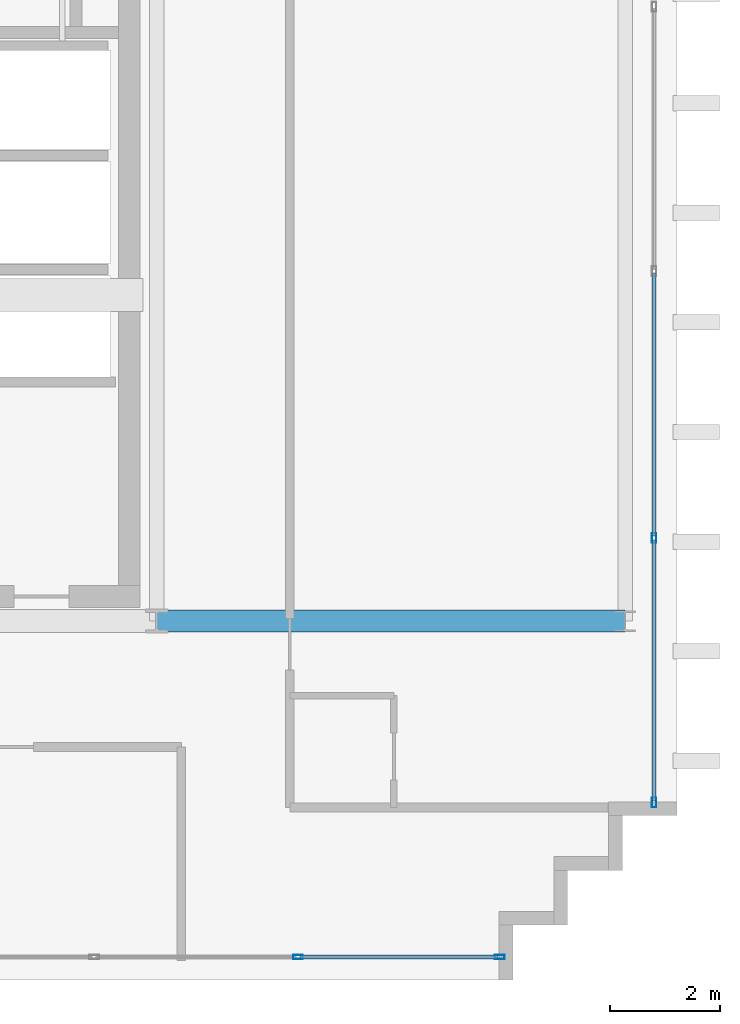
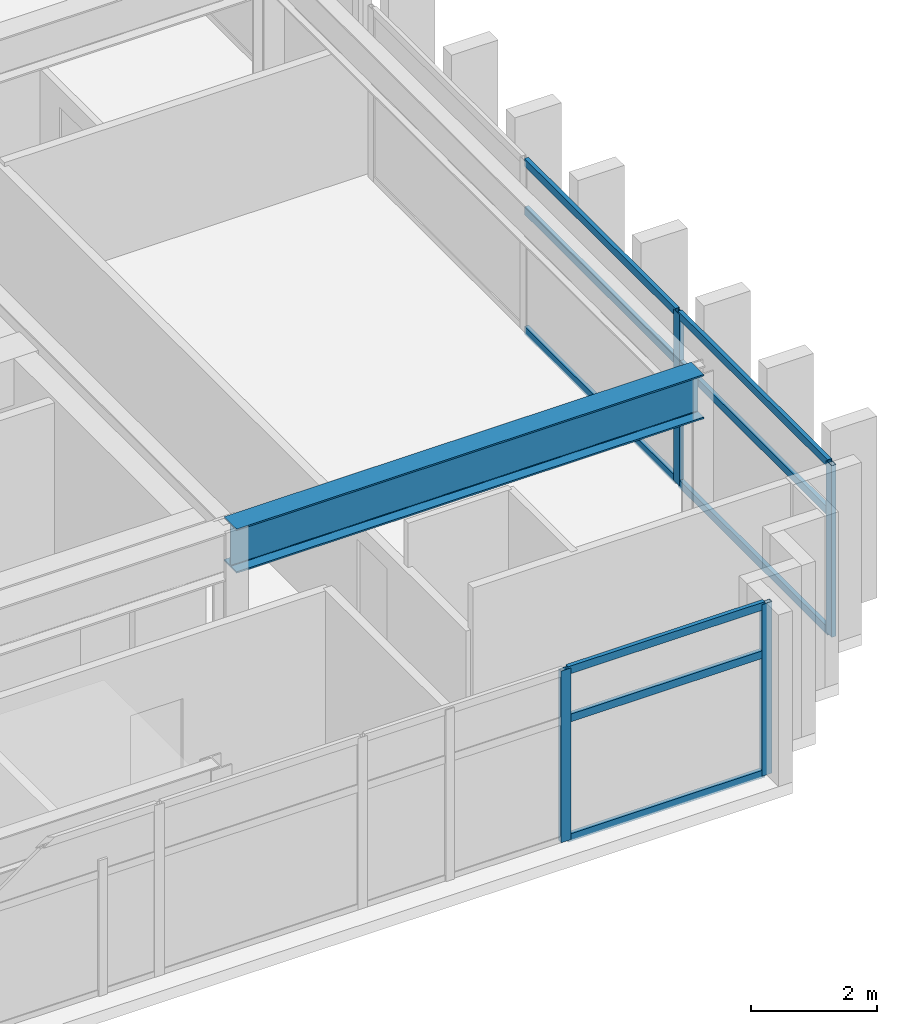
# One storey, part 4 of 15: 13 members, 1 beam, 2 elements without a shape of their own.
"""IFC4 building model written with IfcOpenShell, lengths in metres."""

from ifc_helpers import new_model, si_unit, direction, frame, origin, origin_2d, place, context, subcontext, project, spatial, hollow_rectangle, i_section, extrude, source, transform, mapped, material, layer, layer_set, material_profile, profile_set, type_object, element, aggregate, save


model = new_model("IFC4")

# Units and contexts
model_context = context("Model", 3, precision=1e-05, world=origin(), true_north=direction((0.0, 1.0)))
body_context = subcontext(model_context, "Body", "Model", "MODEL_VIEW")
ifc_project = project(units=[si_unit("LENGTHUNIT", "METRE"), si_unit("AREAUNIT", "SQUARE_METRE"), si_unit("VOLUMEUNIT", "CUBIC_METRE"), si_unit("PLANEANGLEUNIT", "RADIAN"), si_unit("MASSUNIT", "GRAM", prefix="KILO")], contexts=[model_context])

# Site, building, storey
site_placement = place(None, origin())
site = spatial("IfcSite", under=ifc_project, at=site_placement, CompositionType="ELEMENT")
building_placement = place(site_placement, origin())
building = spatial("IfcBuilding", under=site, at=building_placement, Name="Ocotamira Hotel", CompositionType="ELEMENT")
storey_placement = place(building_placement, frame((0.0, 0.0, 297.60009765625)))
storey = spatial("IfcBuildingStorey", under=building, at=storey_placement, Name="L76", CompositionType="ELEMENT", Elevation=297.60009765625)

# Beam
ifc_material_1 = material(Name="Steel ASTM A992 Grade 50", Category="steel")
ifc_material_profile_1 = material_profile(ifc_material_1, i_section(OverallWidth=0.39990234375, OverallDepth=0.85595703125, WebThickness=0.018310546875, FlangeThickness=0.029296875, FilletRadius=0.02001953125, at=origin_2d()), Name="W33X201")
ifc_profile_set_1 = profile_set([ifc_material_profile_1], Name="Steel ASTM A992 Grade 50")
beam_type = type_object("IfcBeamType", Name="BM-GIRD-W33X201", PredefinedType="BEAM", material=ifc_profile_set_1)
shared_shape_1 = source(origin(), body_context, "Body", "SweptSolid", [
    extrude(i_section(OverallWidth=0.39990234375, OverallDepth=0.85595703125, WebThickness=0.018310546875, FlangeThickness=0.029296875, FilletRadius=0.02001953125, at=origin_2d()), origin(), (0.0, 0.0, 1.0), 8.550048828125),
])
beam_placement = place(storey_placement, frame((23.5, 14.550048828125, 2.891845703125), z_axis=(1.0, 0.0, 0.0), x_axis=(0.0, 1.0, 0.0)))
element("IfcBeam", 1, at=beam_placement, inside=storey, type_object=beam_type, Name="L76 Girder Y14.55 X23.5-32.05", PredefinedType="BEAM", context=body_context, shape_type="MappedRepresentation", body=[
    mapped(shared_shape_1, transform((0.0, 0.0, 0.0), scale=1.0)),
])

# Curtain wall, members
ifc_material_2 = material(Name="Anodised pale-metal aluminium and solar glass", Category="aluminium")
ifc_layer = layer(ifc_material_2, 0.2099609375)
ifc_layer_set = layer_set([ifc_layer], Name="Anodised pale-metal aluminium and solar glass")
curtain_wall_type = type_object("IfcCurtainWallType", Name="CW-SYS7-PEAK", PredefinedType="NOTDEFINED", material=ifc_layer_set)
curtain_wall_1_placement = place(storey_placement, origin())
curtain_wall_1 = element("IfcCurtainWall", 2, at=curtain_wall_1_placement, inside=storey, type_object=curtain_wall_type, Name="L76 Curtain Wall CW-7 CW-L76-S1", PredefinedType="NOTDEFINED")
ifc_material_3 = material(Name="Anodised pale-metal aluminium 6063-T6", Category="aluminium")
ifc_material_profile_2 = material_profile(ifc_material_3, hollow_rectangle(XDim=0.074951171875, YDim=0.14990234375, WallThickness=0.006103515625, at=origin_2d()), Name="HSS150X75X6")
ifc_profile_set_2 = profile_set([ifc_material_profile_2], Name="Anodised pale-metal aluminium 6063-T6")
member_type_1 = type_object("IfcMemberType", Name="CWT-150X75", PredefinedType="USERDEFINED", material=ifc_profile_set_2)
shared_shape_2 = source(origin(), body_context, "Body", "SweptSolid", [
    extrude(hollow_rectangle(XDim=0.074951171875, YDim=0.14990234375, WallThickness=0.006103515625, at=origin_2d()), origin(), (0.0, 0.0, 1.0), 3.599853515625),
])
member_1_placement = place(storey_placement, frame((26.1201171875, 8.419921875, 0.037353515625), z_axis=(1.0, 0.0, 0.0), x_axis=(0.0, 1.0, 0.0)))
member_1 = element("IfcMember", 3, at=member_1_placement, type_object=member_type_1, Name="CW-7 transom 5.1", ObjectType="TRANSOM", PredefinedType="USERDEFINED", context=body_context, shape_type="MappedRepresentation", body=[
    mapped(shared_shape_2, transform((0.0, 0.0, 0.0), scale=1.0)),
])
member_2_placement = place(storey_placement, frame((26.1201171875, 8.419921875, 2.349853515625), z_axis=(1.0, 0.0, 0.0), x_axis=(0.0, 1.0, 0.0)))
member_2 = element("IfcMember", 4, at=member_2_placement, type_object=member_type_1, Name="CW-7 transom 5.2", ObjectType="TRANSOM", PredefinedType="USERDEFINED", context=body_context, shape_type="MappedRepresentation", body=[
    mapped(shared_shape_2, transform((0.0, 0.0, 0.0), scale=1.0)),
])
member_3_placement = place(storey_placement, frame((26.1201171875, 8.419921875, 3.282470703125), z_axis=(1.0, 0.0, 0.0), x_axis=(0.0, 1.0, 0.0)))
member_3 = element("IfcMember", 5, at=member_3_placement, type_object=member_type_1, Name="CW-7 transom 5.3", ObjectType="TRANSOM", PredefinedType="USERDEFINED", context=body_context, shape_type="MappedRepresentation", body=[
    mapped(shared_shape_2, transform((0.0, 0.0, 0.0), scale=1.0)),
])

curtain_wall_2_placement = place(storey_placement, origin())
curtain_wall_2 = element("IfcCurtainWall", 6, at=curtain_wall_2_placement, inside=storey, type_object=curtain_wall_type, Name="L76 Curtain Wall CW-7 CW-L76-E1", PredefinedType="NOTDEFINED")
shared_shape_3 = source(origin(), body_context, "Body", "SweptSolid", [
    extrude(hollow_rectangle(XDim=0.074951171875, YDim=0.14990234375, WallThickness=0.006103515625, at=origin_2d()), origin(), (0.0, 0.0, 1.0), 4.74658203125),
])
member_4_placement = place(storey_placement, frame((32.580078125, 11.280029296875, 0.037353515625), z_axis=(0.0, 1.0, 0.0), x_axis=(-1.0, 0.0, 0.0)))
member_4 = element("IfcMember", 7, at=member_4_placement, type_object=member_type_1, Name="CW-7 transom 1.1", ObjectType="TRANSOM", PredefinedType="USERDEFINED", context=body_context, shape_type="MappedRepresentation", body=[
    mapped(shared_shape_3, transform((0.0, 0.0, 0.0), scale=1.0)),
])
member_5_placement = place(storey_placement, frame((32.580078125, 11.280029296875, 2.349853515625), z_axis=(0.0, 1.0, 0.0), x_axis=(-1.0, 0.0, 0.0)))
member_5 = element("IfcMember", 8, at=member_5_placement, type_object=member_type_1, Name="CW-7 transom 1.2", ObjectType="TRANSOM", PredefinedType="USERDEFINED", context=body_context, shape_type="MappedRepresentation", body=[
    mapped(shared_shape_3, transform((0.0, 0.0, 0.0), scale=1.0)),
])
member_6_placement = place(storey_placement, frame((32.580078125, 11.280029296875, 3.282470703125), z_axis=(0.0, 1.0, 0.0), x_axis=(-1.0, 0.0, 0.0)))
member_6 = element("IfcMember", 9, at=member_6_placement, type_object=member_type_1, Name="CW-7 transom 1.3", ObjectType="TRANSOM", PredefinedType="USERDEFINED", context=body_context, shape_type="MappedRepresentation", body=[
    mapped(shared_shape_3, transform((0.0, 0.0, 0.0), scale=1.0)),
])
shared_shape_4 = source(origin(), body_context, "Body", "SweptSolid", [
    extrude(hollow_rectangle(XDim=0.074951171875, YDim=0.14990234375, WallThickness=0.006103515625, at=origin_2d()), origin(), (0.0, 0.0, 1.0), 4.78662109375),
])
member_7_placement = place(storey_placement, frame((32.580078125, 16.106689453125, 0.037353515625), z_axis=(0.0, 1.0, 0.0), x_axis=(-1.0, 0.0, 0.0)))
member_7 = element("IfcMember", 10, at=member_7_placement, type_object=member_type_1, Name="CW-7 transom 2.1", ObjectType="TRANSOM", PredefinedType="USERDEFINED", context=body_context, shape_type="MappedRepresentation", body=[
    mapped(shared_shape_4, transform((0.0, 0.0, 0.0), scale=1.0)),
])
member_8_placement = place(storey_placement, frame((32.580078125, 16.106689453125, 2.349853515625), z_axis=(0.0, 1.0, 0.0), x_axis=(-1.0, 0.0, 0.0)))
member_8 = element("IfcMember", 11, at=member_8_placement, type_object=member_type_1, Name="CW-7 transom 2.2", ObjectType="TRANSOM", PredefinedType="USERDEFINED", context=body_context, shape_type="MappedRepresentation", body=[
    mapped(shared_shape_4, transform((0.0, 0.0, 0.0), scale=1.0)),
])
member_9_placement = place(storey_placement, frame((32.580078125, 16.106689453125, 3.282470703125), z_axis=(0.0, 1.0, 0.0), x_axis=(-1.0, 0.0, 0.0)))
member_9 = element("IfcMember", 12, at=member_9_placement, type_object=member_type_1, Name="CW-7 transom 2.3", ObjectType="TRANSOM", PredefinedType="USERDEFINED", context=body_context, shape_type="MappedRepresentation", body=[
    mapped(shared_shape_4, transform((0.0, 0.0, 0.0), scale=1.0)),
])

# Member
ifc_material_profile_3 = material_profile(ifc_material_3, hollow_rectangle(XDim=0.080078125, YDim=0.179931640625, WallThickness=0.006103515625, at=origin_2d()), Name="HSS180X80X6")
ifc_profile_set_3 = profile_set([ifc_material_profile_3], Name="Anodised pale-metal aluminium 6063-T6")
member_type_2 = type_object("IfcMemberType", Name="CWM-180X75", PredefinedType="MULLION", material=ifc_profile_set_3)
shared_shape_5 = source(origin(), body_context, "Body", "SweptSolid", [
    extrude(hollow_rectangle(XDim=0.080078125, YDim=0.179931640625, WallThickness=0.006103515625, at=origin_2d()), origin(), (0.0, 0.0, 1.0), 3.31982421875),
])
member_10_placement = place(storey_placement, frame((26.080078125, 8.419921875, 0.0), z_axis=(0.0, 0.0, 1.0), x_axis=(0.0, 1.0, 0.0)))
member_10 = element("IfcMember", 13, at=member_10_placement, type_object=member_type_2, Name="CW-7 mullion 5", PredefinedType="MULLION", context=body_context, shape_type="MappedRepresentation", body=[
    mapped(shared_shape_5, transform((0.0, 0.0, 0.0), scale=1.0)),
])

member_11_placement = place(storey_placement, frame((29.760009765625, 8.419921875, 0.0), z_axis=(0.0, 0.0, 1.0), x_axis=(0.0, 1.0, 0.0)))
member_11 = element("IfcMember", 14, at=member_11_placement, type_object=member_type_2, Name="CW-7 mullion 6", PredefinedType="MULLION", context=body_context, shape_type="MappedRepresentation", body=[
    mapped(shared_shape_5, transform((0.0, 0.0, 0.0), scale=1.0)),
])

aggregate(curtain_wall_1, [member_10, member_11, member_1, member_2, member_3])

member_12_placement = place(storey_placement, frame((32.580078125, 11.239990234375, 0.0), z_axis=(0.0, 0.0, 1.0), x_axis=(-1.0, 0.0, 0.0)))
member_12 = element("IfcMember", 15, at=member_12_placement, type_object=member_type_2, Name="CW-7 mullion 1", PredefinedType="MULLION", context=body_context, shape_type="MappedRepresentation", body=[
    mapped(shared_shape_5, transform((0.0, 0.0, 0.0), scale=1.0)),
])

member_13_placement = place(storey_placement, frame((32.580078125, 16.066650390625, 0.0), z_axis=(0.0, 0.0, 1.0), x_axis=(-1.0, 0.0, 0.0)))
member_13 = element("IfcMember", 16, at=member_13_placement, type_object=member_type_2, Name="CW-7 mullion 2", PredefinedType="MULLION", context=body_context, shape_type="MappedRepresentation", body=[
    mapped(shared_shape_5, transform((0.0, 0.0, 0.0), scale=1.0)),
])

aggregate(curtain_wall_2, [member_12, member_13, member_4, member_5, member_6, member_7, member_8, member_9])

save(model, "model.ifc")
